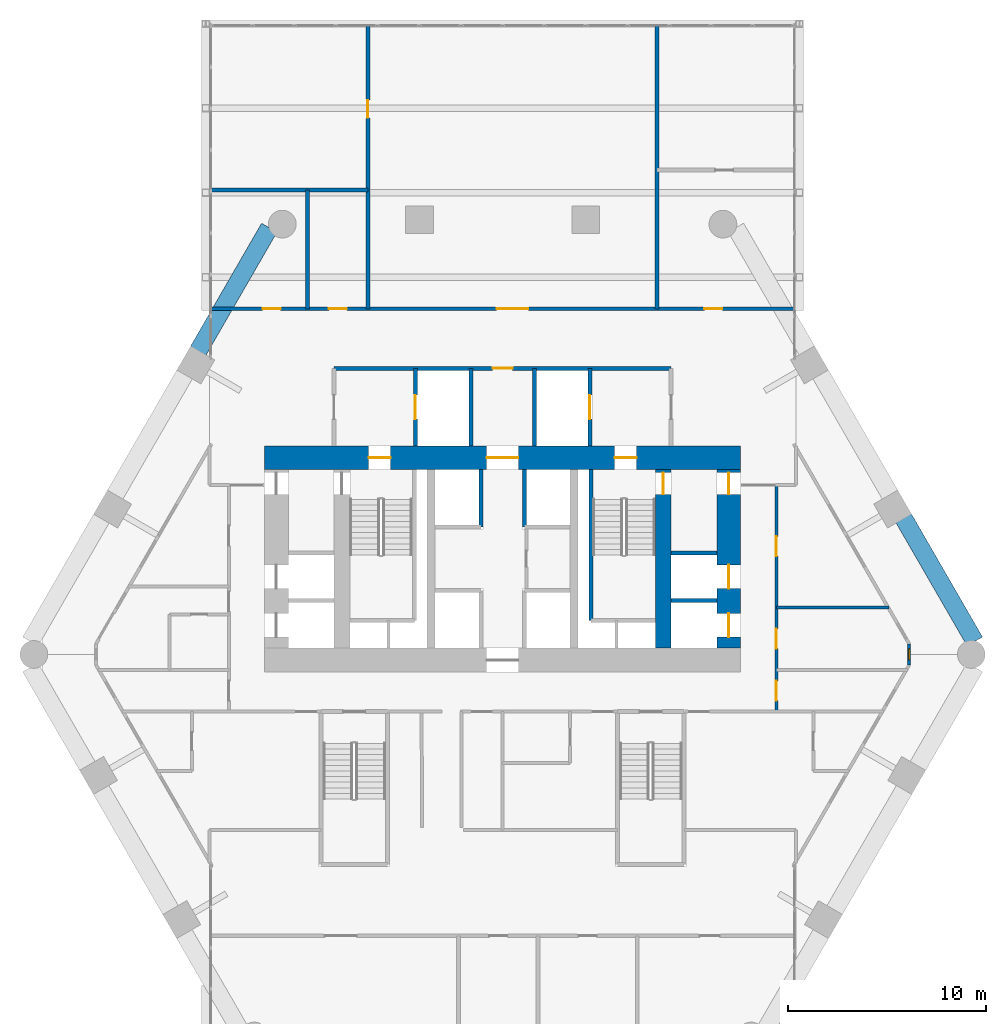
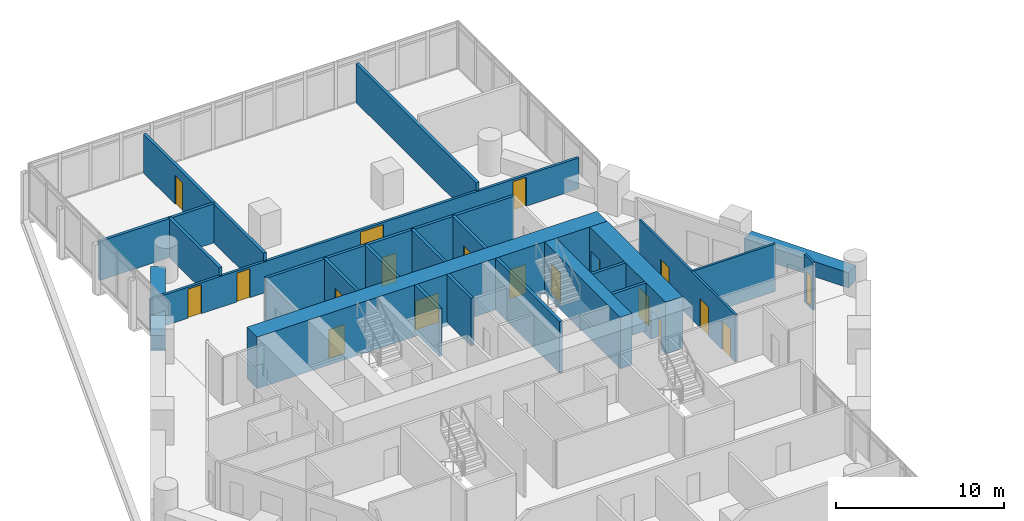
# One storey, part 33 of 38: 23 walls, 18 doors, 1 window, 19 openings.
"""IFC4 building model written with IfcOpenShell, lengths in metres."""

import ifcopenshell
import ifcopenshell.guid

model = None  # the IFC model being written
_history = None  # IfcOwnerHistory: only IFC2X3 demands one
_inside = {}  # id of a spatial element -> (the spatial element, [elements in it])
_under = {}  # id of a project, library or spatial element -> (it, [spatial elements below it])
_declared = {}  # id of a project -> (the project, [libraries it declares])
_typed = {}  # id of a type object -> (the type object, [elements of that type])
_made_of = {}  # id of a material, layer set ... -> (it, [elements and type objects made of it])


def new_model(schema):
    """Start an empty IFC model of exactly this schema.

    Asked for "IFC4X3", IfcOpenShell would pick the latest addendum, in which some entities
    have other attributes; the version numbers below select the first issue.
    IFC2X3 requires an IfcOwnerHistory on every rooted entity: one is made here for all.
    """
    global model, _history
    if schema == "IFC4X3":
        model = ifcopenshell.file(schema_version=(4, 3, 0, 0))
    else:
        model = ifcopenshell.file(schema=schema)
    _inside.clear()
    _under.clear()
    _declared.clear()
    _typed.clear()
    _made_of.clear()
    _history = None
    if model.schema == "IFC2X3":
        org = make("IfcOrganization", Name="unknown")
        user = make(
            "IfcPersonAndOrganization",
            ThePerson=make("IfcPerson", FamilyName="unknown"),
            TheOrganization=org,
        )
        app = make(
            "IfcApplication",
            ApplicationDeveloper=org,
            Version="unknown",
            ApplicationFullName="unknown",
            ApplicationIdentifier="unknown",
        )
        _history = make(
            "IfcOwnerHistory",
            OwningUser=user,
            OwningApplication=app,
            ChangeAction="ADDED",
            CreationDate=0,
        )
    return model


def make(cls, **values):
    """One entity of the class cls with the attributes given. An attribute that is None is left unset."""
    return model.create_entity(
        cls, **{name: value for name, value in values.items() if value is not None}
    )


def rooted(cls, **values):
    """An entity with a GlobalId (a new one), such as an element, a storey or a relation."""
    return make(cls, GlobalId=ifcopenshell.guid.new(), OwnerHistory=_history, **values)


def si_unit(unit_type, name, prefix=None):
    """IfcSIUnit, for example si_unit("LENGTHUNIT", "METRE", prefix="MILLI")."""
    return make("IfcSIUnit", UnitType=unit_type, Prefix=prefix, Name=name)


def assignment(units):
    """IfcUnitAssignment: the units of a project."""
    return None if units is None else make("IfcUnitAssignment", Units=units)


def point(xyz):
    """IfcCartesianPoint."""
    return None if xyz is None else make("IfcCartesianPoint", Coordinates=xyz)


def direction(xyz):
    """IfcDirection."""
    return None if xyz is None else make("IfcDirection", DirectionRatios=xyz)


def frame(location, z_axis=None, x_axis=None):
    """IfcAxis2Placement3D, a coordinate frame: its origin and axes. An axis left out is left unset."""
    return make(
        "IfcAxis2Placement3D",
        Location=point(location),
        Axis=direction(z_axis),
        RefDirection=direction(x_axis),
    )


def frame_2d(location, x_axis=None):
    """IfcAxis2Placement2D, a coordinate frame in the plane: its origin and x axis."""
    return make(
        "IfcAxis2Placement2D", Location=point(location), RefDirection=direction(x_axis)
    )


def origin():
    """The frame at (0, 0, 0) with its axes left unset."""
    return frame((0.0, 0.0, 0.0))


def place(relative_to, where):
    """IfcLocalPlacement: puts the frame where relative to a parent placement (None: the world)."""
    return make(
        "IfcLocalPlacement", PlacementRelTo=relative_to, RelativePlacement=where
    )


def context(
    kind, dimensions, precision=None, world=None, true_north=None, identifier=None
):
    """IfcGeometricRepresentationContext, for example the 3D "Model" context."""
    return make(
        "IfcGeometricRepresentationContext",
        ContextIdentifier=identifier,
        ContextType=kind,
        CoordinateSpaceDimension=dimensions,
        Precision=precision,
        WorldCoordinateSystem=world,
        TrueNorth=true_north,
    )


def subcontext(parent, identifier, kind, view, scale=None):
    """IfcGeometricRepresentationSubContext, for example "Body" below "Model"."""
    return make(
        "IfcGeometricRepresentationSubContext",
        ContextIdentifier=identifier,
        ContextType=kind,
        ParentContext=parent,
        TargetScale=scale,
        TargetView=view,
    )


def project(units=None, contexts=None):
    """IfcProject with its units and contexts."""
    return rooted(
        "IfcProject",
        Name="project",
        RepresentationContexts=contexts,
        UnitsInContext=assignment(units),
    )


def spatial(cls, under=None, at=None, **own):
    """A site, building, storey or space (cls), placed at a placement, below another one or the project."""
    s = rooted(cls, ObjectPlacement=at, **own)
    if under is not None:
        _under.setdefault(under.id(), (under, []))[1].append(s)
    return s


def profile(cls, at=None, kind="AREA", **sizes):
    """A parametric profile (cls). Its sizes go by their IFC names, for example OverallWidth=200.0."""
    return make(cls, ProfileType=kind, Position=at, **sizes)


def rectangle(**sizes):
    """IfcRectangleProfileDef."""
    return profile("IfcRectangleProfileDef", **sizes)


def extrude(swept, where, along, depth):
    """IfcExtrudedAreaSolid: the profile swept, set in the frame where, extruded along a direction by depth."""
    return make(
        "IfcExtrudedAreaSolid",
        SweptArea=swept,
        Position=where,
        ExtrudedDirection=direction(along),
        Depth=depth,
    )


def shape(context_of_items, identifier, shape_type, items):
    """IfcShapeRepresentation: the items that make up one representation, for example the "Body"."""
    return make(
        "IfcShapeRepresentation",
        ContextOfItems=context_of_items,
        RepresentationIdentifier=identifier,
        RepresentationType=shape_type,
        Items=items,
    )


def material(Name=None, Category=None):
    """IfcMaterial."""
    return make("IfcMaterial", Name=Name, Category=Category)


def layer(
    of_material, thickness, ventilated=None, Name=None, Category=None, Priority=None
):
    """IfcMaterialLayer: one layer of a wall or slab, of a material (None: an air gap)."""
    return make(
        "IfcMaterialLayer",
        Material=of_material,
        LayerThickness=thickness,
        IsVentilated=ventilated,
        Name=Name,
        Category=Category,
        Priority=Priority,
    )


def layer_set(layers, Name=None):
    """IfcMaterialLayerSet."""
    return make("IfcMaterialLayerSet", MaterialLayers=layers, LayerSetName=Name)


def made_of(thing, what):
    """Note that an element or type object is made of a material, layer set ...; save() writes the relation."""
    if what is not None:
        _made_of.setdefault(what.id(), (what, []))[1].append(thing)
    return thing


def type_object(cls, material=None, **own):
    """A type object (cls), such as IfcWallType, which elements share."""
    return made_of(rooted(cls, **own), material)


def element(
    cls,
    number,
    at=None,
    inside=None,
    cuts=None,
    type_object=None,
    material=None,
    context=None,
    identifier="Body",
    shape_type=None,
    held_by="IfcProductDefinitionShape",
    body=None,
    shapes=None,
    **own,
):
    """One element of the class cls, such as IfcWall. Its Tag is "e" and its number.

    at: its placement. inside: the storey or other place that contains it. cuts: it is an
    opening in that element (IfcRelVoidsElement). A single representation is given by context,
    identifier, shape_type and body (its items); several are given by shapes. held_by: the class
    of the entity that holds the representations. save() writes the other relations.
    """
    e = rooted(cls, Tag="e%d" % number, ObjectPlacement=at, **own)
    if body is not None:
        shapes = [shape(context, identifier, shape_type, body)]
    if shapes is not None:
        e.Representation = make(held_by, Representations=shapes)
    if inside is not None:
        _inside.setdefault(inside.id(), (inside, []))[1].append(e)
    if cuts is not None:
        rooted(
            "IfcRelVoidsElement", RelatingBuildingElement=cuts, RelatedOpeningElement=e
        )
    if type_object is not None:
        _typed.setdefault(type_object.id(), (type_object, []))[1].append(e)
    return made_of(e, material)


def fill(opening, filler):
    """IfcRelFillsElement: the door or window that sits in an opening."""
    return rooted(
        "IfcRelFillsElement",
        RelatingOpeningElement=opening,
        RelatedBuildingElement=filler,
    )


def aggregate(whole, parts):
    """IfcRelAggregates: a whole, such as a stair, and the parts it consists of."""
    return rooted("IfcRelAggregates", RelatingObject=whole, RelatedObjects=parts)


def save(model, path):
    """Write the relations noted so far, then the file.

    IfcRelAggregates (storeys below a building ...), IfcRelContainedInSpatialStructure (elements
    in a storey), IfcRelDefinesByType, IfcRelAssociatesMaterial and IfcRelDeclares: one each for
    every whole, place, type object, material and project.
    """
    for whole, parts in _under.values():
        aggregate(whole, parts)
    for where, things in _inside.values():
        rooted(
            "IfcRelContainedInSpatialStructure",
            RelatedElements=things,
            RelatingStructure=where,
        )
    for kind, things in _typed.values():
        rooted("IfcRelDefinesByType", RelatedObjects=things, RelatingType=kind)
    for what, things in _made_of.values():
        rooted("IfcRelAssociatesMaterial", RelatedObjects=things, RelatingMaterial=what)
    for by, libraries in _declared.values():
        rooted("IfcRelDeclares", RelatingContext=by, RelatedDefinitions=libraries)
    model.write(path)


model = new_model("IFC4")

# Units and contexts
model_context = context("Model", 3, precision=1e-05, world=origin(), true_north=direction((0.0, 1.0)))
body_context = subcontext(model_context, "Body", "Model", "MODEL_VIEW")
ifc_project = project(units=[si_unit("LENGTHUNIT", "METRE"), si_unit("AREAUNIT", "SQUARE_METRE"), si_unit("VOLUMEUNIT", "CUBIC_METRE"), si_unit("PLANEANGLEUNIT", "RADIAN"), si_unit("MASSUNIT", "GRAM", prefix="KILO")], contexts=[model_context])

# Site, building, storey
site_placement = place(None, origin())
site = spatial("IfcSite", under=ifc_project, at=site_placement, CompositionType="ELEMENT")
building_placement = place(site_placement, origin())
building = spatial("IfcBuilding", under=site, at=building_placement, Name="Ostrander Bayou Hotel Tower", CompositionType="ELEMENT")
storey_placement = place(building_placement, frame((0.0, 0.0, 65.5)))
storey = spatial("IfcBuildingStorey", under=building, at=storey_placement, Name="L16", CompositionType="ELEMENT", Elevation=65.5)

# Wall, openings, doors
ifc_material_1 = material(Name="Concrete f'c 70 MPa", Category="concrete")
ifc_layer_1 = layer(ifc_material_1, 1.199951171875)
ifc_layer_set_1 = layer_set([ifc_layer_1], Name="CW1 core wall 1200 mm f'c 70 MPa")
wall_type_1 = type_object("IfcWallType", Name="CW1 core wall 1200 mm f'c 70 MPa", PredefinedType="SHEAR", material=ifc_layer_set_1)
wall_1_placement = place(storey_placement, frame((-12.0, 9.10009765625, -0.300048828125), z_axis=(0.0, 0.0, 1.0), x_axis=(1.0, 0.0, 0.0)))
wall_1 = element("IfcWall", 1, at=wall_1_placement, inside=storey, type_object=wall_type_1, Name="CW1 L16 N", PredefinedType="SHEAR", context=body_context, shape_type="SweptSolid", body=[
    extrude(rectangle(XDim=24.0, YDim=1.199951171875, at=frame_2d((12.0, 0.0))), origin(), (0.0, 0.0, 1.0), 3.75),
])
opening_1_placement = place(wall_1_placement, frame((11.199951171875, 0.0, 0.0)))
opening_1 = element("IfcOpeningElement", 2, at=opening_1_placement, cuts=wall_1, Name="Opening T16-002", PredefinedType="OPENING", context=body_context, shape_type="SweptSolid", body=[
    extrude(rectangle(XDim=1.60009765625, YDim=2.10009765625, at=frame_2d((0.800048828125, 1.050048828125))), frame((0.0, 0.60009765625, 0.0), z_axis=(0.0, -1.0, 0.0), x_axis=(1.0, 0.0, 0.0)), (0.0, 0.0, 1.0), 1.199951171875),
])
opening_2_placement = place(wall_1_placement, frame((5.25, 0.0, 0.0)))
opening_2 = element("IfcOpeningElement", 3, at=opening_2_placement, cuts=wall_1, Name="Opening T16-003", PredefinedType="OPENING", context=body_context, shape_type="SweptSolid", body=[
    extrude(rectangle(XDim=1.10009765625, YDim=2.10009765625, at=frame_2d((0.550048828125, 1.050048828125))), frame((0.0, 0.60009765625, 0.0), z_axis=(0.0, -1.0, 0.0), x_axis=(1.0, 0.0, 0.0)), (0.0, 0.0, 1.0), 1.199951171875),
])
opening_3_placement = place(wall_1_placement, frame((17.64990234375, 0.0, 0.0)))
opening_3 = element("IfcOpeningElement", 4, at=opening_3_placement, cuts=wall_1, Name="Opening T16-005", PredefinedType="OPENING", context=body_context, shape_type="SweptSolid", body=[
    extrude(rectangle(XDim=1.10009765625, YDim=2.10009765625, at=frame_2d((0.550048828125, 1.050048828125))), frame((0.0, 0.60009765625, 0.0), z_axis=(0.0, -1.0, 0.0), x_axis=(1.0, 0.0, 0.0)), (0.0, 0.0, 1.0), 1.199951171875),
])
ifc_material_2 = material(Name="Timber door leaf", Category="wood")
door_type_1 = type_object("IfcDoorType", Name="D13 double door 1600 x 2100 mm, 1 hour", OperationType="SINGLE_SWING_LEFT", PredefinedType="DOOR", material=ifc_material_2)
door_1_placement = place(opening_1_placement, origin())
door_1 = element("IfcDoor", 5, at=door_1_placement, inside=storey, type_object=door_type_1, Name="dr:L16:002", OperationType="DOUBLE_DOOR_SINGLE_SWING", OverallHeight=2.10009765625, OverallWidth=1.60009765625, PredefinedType="DOOR", context=body_context, shape_type="SweptSolid", body=[
    extrude(rectangle(XDim=1.60009765625, YDim=2.10009765625, at=frame_2d((0.800048828125, 1.050048828125))), frame((0.0, 0.02490234375, 0.0), z_axis=(0.0, -1.0, 0.0), x_axis=(1.0, 0.0, 0.0)), (0.0, 0.0, 1.0), 0.050048828125),
])
fill(opening_1, door_1)
ifc_material_3 = material(Name="Timber door leaf", Category="wood")
door_type_2 = type_object("IfcDoorType", Name="D5 stair door 1100 x 2100 mm, 90 minute", OperationType="SINGLE_SWING_LEFT", PredefinedType="DOOR", material=ifc_material_3)
door_2_placement = place(opening_2_placement, origin())
door_2 = element("IfcDoor", 6, at=door_2_placement, inside=storey, type_object=door_type_2, Name="dr:L16:003", OperationType="SINGLE_SWING_LEFT", OverallHeight=2.10009765625, OverallWidth=1.10009765625, PredefinedType="DOOR", context=body_context, shape_type="SweptSolid", body=[
    extrude(rectangle(XDim=1.10009765625, YDim=2.10009765625, at=frame_2d((0.550048828125, 1.050048828125))), frame((0.0, 0.02490234375, 0.0), z_axis=(0.0, -1.0, 0.0), x_axis=(1.0, 0.0, 0.0)), (0.0, 0.0, 1.0), 0.050048828125),
])
fill(opening_2, door_2)
door_3_placement = place(opening_3_placement, origin())
door_3 = element("IfcDoor", 7, at=door_3_placement, inside=storey, type_object=door_type_2, Name="dr:L16:005", OperationType="SINGLE_SWING_RIGHT", OverallHeight=2.10009765625, OverallWidth=1.10009765625, PredefinedType="DOOR", context=body_context, shape_type="SweptSolid", body=[
    extrude(rectangle(XDim=1.10009765625, YDim=2.10009765625, at=frame_2d((0.550048828125, 1.050048828125))), frame((0.0, 0.02490234375, 0.0), z_axis=(0.0, -1.0, 0.0), x_axis=(1.0, 0.0, 0.0)), (0.0, 0.0, 1.0), 0.050048828125),
])
fill(opening_3, door_3)

wall_2_placement = place(storey_placement, frame((11.39990234375, -0.5, -0.300048828125), z_axis=(0.0, 0.0, 1.0), x_axis=(0.0, 1.0, 0.0)))
wall_2 = element("IfcWall", 8, at=wall_2_placement, inside=storey, type_object=wall_type_1, Name="CW1 L16 RE", PredefinedType="SHEAR", context=body_context, shape_type="SweptSolid", body=[
    extrude(rectangle(XDim=9.0, YDim=1.199951171875, at=frame_2d((4.5, 0.0))), origin(), (0.0, 0.0, 1.0), 3.75),
])
opening_4_placement = place(wall_2_placement, frame((7.75, 0.0, 0.0)))
opening_4 = element("IfcOpeningElement", 9, at=opening_4_placement, cuts=wall_2, Name="Opening T16-018", PredefinedType="OPENING", context=body_context, shape_type="SweptSolid", body=[
    extrude(rectangle(XDim=1.10009765625, YDim=2.10009765625, at=frame_2d((0.550048828125, 1.050048828125))), frame((0.0, 0.60009765625, 0.0), z_axis=(0.0, -1.0, 0.0), x_axis=(1.0, 0.0, 0.0)), (0.0, 0.0, 1.0), 1.199951171875),
])
opening_5_placement = place(wall_2_placement, frame((0.550048828125, 0.0, 0.0)))
opening_5 = element("IfcOpeningElement", 10, at=opening_5_placement, cuts=wall_2, Name="Opening T16-019", PredefinedType="OPENING", context=body_context, shape_type="SweptSolid", body=[
    extrude(rectangle(XDim=1.199951171875, YDim=2.10009765625, at=frame_2d((0.60009765625, 1.050048828125))), frame((0.0, 0.60009765625, 0.0), z_axis=(0.0, -1.0, 0.0), x_axis=(1.0, 0.0, 0.0)), (0.0, 0.0, 1.0), 1.199951171875),
])
opening_6_placement = place(wall_2_placement, frame((3.0, 0.0, 0.0)))
opening_6 = element("IfcOpeningElement", 11, at=opening_6_placement, cuts=wall_2, Name="Opening T16-020", PredefinedType="OPENING", context=body_context, shape_type="SweptSolid", body=[
    extrude(rectangle(XDim=1.199951171875, YDim=2.10009765625, at=frame_2d((0.60009765625, 1.050048828125))), frame((0.0, 0.60009765625, 0.0), z_axis=(0.0, -1.0, 0.0), x_axis=(1.0, 0.0, 0.0)), (0.0, 0.0, 1.0), 1.199951171875),
])
door_4_placement = place(opening_4_placement, origin())
door_4 = element("IfcDoor", 12, at=door_4_placement, inside=storey, type_object=door_type_2, Name="dr:L16:018", OperationType="SINGLE_SWING_RIGHT", OverallHeight=2.10009765625, OverallWidth=1.10009765625, PredefinedType="DOOR", context=body_context, shape_type="SweptSolid", body=[
    extrude(rectangle(XDim=1.10009765625, YDim=2.10009765625, at=frame_2d((0.550048828125, 1.050048828125))), frame((0.0, 0.02490234375, 0.0), z_axis=(0.0, -1.0, 0.0), x_axis=(1.0, 0.0, 0.0)), (0.0, 0.0, 1.0), 0.050048828125),
])
fill(opening_4, door_4)
ifc_material_4 = material(Name="Stainless steel sliding door", Category="steel")
door_type_3 = type_object("IfcDoorType", Name="LD1 lift landing door 1200 x 2100 mm", OperationType="SINGLE_SWING_LEFT", PredefinedType="DOOR", material=ifc_material_4)
door_5_placement = place(opening_5_placement, origin())
door_5 = element("IfcDoor", 13, at=door_5_placement, inside=storey, type_object=door_type_3, Name="dr:L16:019", OperationType="SLIDING_TO_LEFT", OverallHeight=2.10009765625, OverallWidth=1.199951171875, PredefinedType="DOOR", context=body_context, shape_type="SweptSolid", body=[
    extrude(rectangle(XDim=1.199951171875, YDim=2.10009765625, at=frame_2d((0.60009765625, 1.050048828125))), frame((0.0, 0.02490234375, 0.0), z_axis=(0.0, -1.0, 0.0), x_axis=(1.0, 0.0, 0.0)), (0.0, 0.0, 1.0), 0.050048828125),
])
fill(opening_5, door_5)
door_6_placement = place(opening_6_placement, origin())
door_6 = element("IfcDoor", 14, at=door_6_placement, inside=storey, type_object=door_type_3, Name="dr:L16:020", OperationType="SLIDING_TO_LEFT", OverallHeight=2.10009765625, OverallWidth=1.199951171875, PredefinedType="DOOR", context=body_context, shape_type="SweptSolid", body=[
    extrude(rectangle(XDim=1.199951171875, YDim=2.10009765625, at=frame_2d((0.60009765625, 1.050048828125))), frame((0.0, 0.02490234375, 0.0), z_axis=(0.0, -1.0, 0.0), x_axis=(1.0, 0.0, 0.0)), (0.0, 0.0, 1.0), 0.050048828125),
])
fill(opening_6, door_6)

# Wall, opening, door
ifc_material_5 = material(Name="Concrete f'c 70 MPa", Category="concrete")
ifc_layer_2 = layer(ifc_material_5, 0.800048828125)
ifc_layer_set_2 = layer_set([ifc_layer_2], Name="CW2 core spine wall 800 mm f'c 70 MPa")
wall_type_2 = type_object("IfcWallType", Name="CW2 core spine wall 800 mm f'c 70 MPa", PredefinedType="SHEAR", material=ifc_layer_set_2)
wall_3_placement = place(storey_placement, frame((8.10009765625, -0.5, -0.300048828125), z_axis=(0.0, 0.0, 1.0), x_axis=(0.0, 1.0, 0.0)))
wall_3 = element("IfcWall", 15, at=wall_3_placement, inside=storey, type_object=wall_type_2, Name="CW2 L16 E", PredefinedType="SHEAR", context=body_context, shape_type="SweptSolid", body=[
    extrude(rectangle(XDim=9.0, YDim=0.800048828125, at=frame_2d((4.5, 0.0))), origin(), (0.0, 0.0, 1.0), 3.75),
])
opening_7_placement = place(wall_3_placement, frame((7.75, 0.0, 0.0)))
opening_7 = element("IfcOpeningElement", 16, at=opening_7_placement, cuts=wall_3, Name="Opening T16-006", PredefinedType="OPENING", context=body_context, shape_type="SweptSolid", body=[
    extrude(rectangle(XDim=1.10009765625, YDim=2.10009765625, at=frame_2d((0.550048828125, 1.050048828125))), frame((0.0, 0.39990234375, 0.0), z_axis=(0.0, -1.0, 0.0), x_axis=(1.0, 0.0, 0.0)), (0.0, 0.0, 1.0), 0.800048828125),
])
door_7_placement = place(opening_7_placement, origin())
door_7 = element("IfcDoor", 17, at=door_7_placement, inside=storey, type_object=door_type_2, Name="dr:L16:006", OperationType="SINGLE_SWING_LEFT", OverallHeight=2.10009765625, OverallWidth=1.10009765625, PredefinedType="DOOR", context=body_context, shape_type="SweptSolid", body=[
    extrude(rectangle(XDim=1.10009765625, YDim=2.10009765625, at=frame_2d((0.550048828125, 1.050048828125))), frame((0.0, 0.02490234375, 0.0), z_axis=(0.0, -1.0, 0.0), x_axis=(1.0, 0.0, 0.0)), (0.0, 0.0, 1.0), 0.050048828125),
])
fill(opening_7, door_7)

# Wall, opening, window
ifc_material_6 = material(Name="Aluminium framed insulated wall", Category="aluminium")
ifc_layer_3 = layer(ifc_material_6, 0.14990234375)
ifc_layer_set_3 = layer_set([ifc_layer_3], Name="GW1 glass-line wall 150 mm")
wall_type_3 = type_object("IfcWallType", Name="GW1 glass-line wall 150 mm", PredefinedType="SOLIDWALL", material=ifc_layer_set_3)
wall_4_placement = place(storey_placement, frame((20.49560546875, -1.350830078125, 0.0), z_axis=(0.0, 0.0, 1.0), x_axis=(0.0, 1.0, 0.0)))
wall_4 = element("IfcWall", 18, at=wall_4_placement, inside=storey, type_object=wall_type_3, Name="GW1 L16 corner 5", PredefinedType="SOLIDWALL", context=body_context, shape_type="SweptSolid", body=[
    extrude(rectangle(XDim=1.06494140625, YDim=0.14990234375, at=frame_2d((0.532470703125, 0.0))), origin(), (0.0, 0.0, 1.0), 3.449951171875),
])
opening_8_placement = place(wall_4_placement, frame((0.257568359375, 0.0, 0.14990234375)))
opening_8 = element("IfcOpeningElement", 19, at=opening_8_placement, cuts=wall_4, Name="Opening W19", PredefinedType="OPENING", context=body_context, shape_type="SweptSolid", body=[
    extrude(rectangle(XDim=0.550048828125, YDim=2.199951171875, at=frame_2d((0.27490234375, 1.10009765625))), frame((0.0, 0.074951171875, 0.0), z_axis=(0.0, -1.0, 0.0), x_axis=(1.0, 0.0, 0.0)), (0.0, 0.0, 1.0), 0.14990234375),
])
ifc_material_7 = material(Name="Aluminium and clear glass", Category="aluminium")
window_type = type_object("IfcWindowType", Name="W19 corner window 550 mm", PartitioningType="SINGLE_PANEL", PredefinedType="WINDOW", material=ifc_material_7)
window_placement = place(opening_8_placement, origin())
window = element("IfcWindow", 20, at=window_placement, inside=storey, type_object=window_type, Name="W19 L16 corner 5", OverallHeight=2.199951171875, OverallWidth=0.550048828125, PartitioningType="SINGLE_PANEL", PredefinedType="WINDOW", context=body_context, shape_type="SweptSolid", body=[
    extrude(rectangle(XDim=0.550048828125, YDim=2.199951171875, at=frame_2d((0.27490234375, 1.10009765625))), frame((0.0, 0.030029296875, 0.0), z_axis=(0.0, -1.0, 0.0), x_axis=(1.0, 0.0, 0.0)), (0.0, 0.0, 1.0), 0.06005859375),
])
fill(opening_8, window)

# Walls
ifc_material_8 = material(Name="Concrete f'c 40 MPa", Category="concrete")
ifc_layer_4 = layer(ifc_material_8, 0.89990234375)
ifc_layer_set_4 = layer_set([ifc_layer_4], Name="PA1 stone-faced parapet 900 mm")
wall_type_4 = type_object("IfcWallType", Name="PA1 stone-faced parapet 900 mm", PredefinedType="PARAPET", material=ifc_layer_set_4)
for number, where, z_axis, x_axis, name in (
    (21, (-11.76025390625, 20.694091796875, 0.0), (0.0, 0.0, 1.0), (-0.500014005679, -0.866017317451, 0.0), "PA1 L16 NW-1"),
    (22, (23.8017578125, -0.162353515625, 0.0), (0.0, 0.0, 1.0), (-0.500014005679, 0.866017317451, 0.0), "PA1 L16 NE-1"),
):
    element("IfcWall", number, at=place(storey_placement, frame(where, z_axis=z_axis, x_axis=x_axis)), inside=storey, type_object=wall_type_4, Name=name, PredefinedType="PARAPET", context=body_context, shape_type="SweptSolid", body=[
        extrude(rectangle(XDim=7.176025390625, YDim=0.89990234375, at=frame_2d((3.587890625, 0.0))), origin(), (0.0, 0.0, 1.0), 1.10009765625),
    ])
ifc_material_9 = material(Name="Gypsum board partition", Category="finish")
ifc_layer_5 = layer(ifc_material_9, 0.199951171875)
ifc_layer_set_5 = layer_set([ifc_layer_5], Name="PT3 demising wall 200 mm acoustic double stud, 1 hour")
wall_type_5 = type_object("IfcWallType", Name="PT3 demising wall 200 mm acoustic double stud, 1 hour", PredefinedType="PARTITIONING", material=ifc_layer_set_5)
wall_5_placement = place(storey_placement, frame((-14.693115234375, 22.60009765625, 0.0), z_axis=(0.0, 0.0, 1.0), x_axis=(1.0, 0.0, 0.0)))
element("IfcWall", 23, at=wall_5_placement, inside=storey, type_object=wall_type_5, Name="sw:L16:503", PredefinedType="PARTITIONING", context=body_context, shape_type="SweptSolid", body=[
    extrude(rectangle(XDim=7.906005859375, YDim=0.199951171875, at=frame_2d((3.953125, 0.0))), origin(), (0.0, 0.0, 1.0), 2.828125),
])
wall_6_placement = place(storey_placement, frame((-9.826904296875, 16.60009765625, 0.0), z_axis=(0.0, 0.0, 1.0), x_axis=(0.0, 1.0, 0.0)))
element("IfcWall", 24, at=wall_6_placement, inside=storey, type_object=wall_type_5, Name="sw:L16:505", PredefinedType="PARTITIONING", context=body_context, shape_type="SweptSolid", body=[
    extrude(rectangle(XDim=6.0, YDim=0.199951171875, at=frame_2d((3.0, 0.0))), origin(), (0.0, 0.0, 1.0), 2.828125),
])

# Wall, opening, door
wall_7_placement = place(storey_placement, frame((-6.787109375, 16.60009765625, 0.0), z_axis=(0.0, 0.0, 1.0), x_axis=(0.0, 1.0, 0.0)))
wall_7 = element("IfcWall", 25, at=wall_7_placement, inside=storey, type_object=wall_type_5, Name="sw:L16:506", PredefinedType="PARTITIONING", context=body_context, shape_type="SweptSolid", body=[
    extrude(rectangle(XDim=14.26708984375, YDim=0.199951171875, at=frame_2d((7.133544921875, 0.0))), origin(), (0.0, 0.0, 1.0), 2.828125),
])
opening_9_placement = place(wall_7_placement, frame((9.628173828125, 0.0, 0.0)))
opening_9 = element("IfcOpeningElement", 26, at=opening_9_placement, cuts=wall_7, Name="Opening T16-1207", PredefinedType="OPENING", context=body_context, shape_type="SweptSolid", body=[
    extrude(rectangle(XDim=0.89990234375, YDim=2.10009765625, at=frame_2d((0.449951171875, 1.050048828125))), frame((0.0, 0.10009765625, 0.0), z_axis=(0.0, -1.0, 0.0), x_axis=(1.0, 0.0, 0.0)), (0.0, 0.0, 1.0), 0.199951171875),
])
ifc_material_10 = material(Name="Timber door leaf", Category="wood")
door_type_4 = type_object("IfcDoorType", Name="D8 room door 900 x 2100 mm", OperationType="SINGLE_SWING_LEFT", PredefinedType="DOOR", material=ifc_material_10)
door_8_placement = place(opening_9_placement, origin())
door_8 = element("IfcDoor", 27, at=door_8_placement, inside=storey, type_object=door_type_4, Name="dr:L16:1207", OperationType="SINGLE_SWING_LEFT", OverallHeight=2.10009765625, OverallWidth=0.89990234375, PredefinedType="DOOR", context=body_context, shape_type="SweptSolid", body=[
    extrude(rectangle(XDim=0.89990234375, YDim=2.10009765625, at=frame_2d((0.449951171875, 1.050048828125))), frame((0.0, 0.02490234375, 0.0), z_axis=(0.0, -1.0, 0.0), x_axis=(1.0, 0.0, 0.0)), (0.0, 0.0, 1.0), 0.050048828125),
])
fill(opening_9, door_8)

# Wall
wall_8_placement = place(storey_placement, frame((7.787109375, 16.60009765625, 0.0), z_axis=(0.0, 0.0, 1.0), x_axis=(0.0, 1.0, 0.0)))
element("IfcWall", 28, at=wall_8_placement, inside=storey, type_object=wall_type_5, Name="sw:L16:510", PredefinedType="PARTITIONING", context=body_context, shape_type="SweptSolid", body=[
    extrude(rectangle(XDim=14.26708984375, YDim=0.199951171875, at=frame_2d((7.133544921875, 0.0))), origin(), (0.0, 0.0, 1.0), 2.828125),
])

# Wall, openings, doors
ifc_material_11 = material(Name="Gypsum board partition", Category="finish")
ifc_layer_6 = layer(ifc_material_11, 0.175048828125)
ifc_layer_set_6 = layer_set([ifc_layer_6], Name="PT4 corridor wall 175 mm, 1 hour")
wall_type_6 = type_object("IfcWallType", Name="PT4 corridor wall 175 mm, 1 hour", PredefinedType="PARTITIONING", material=ifc_layer_set_6)
wall_9_placement = place(storey_placement, frame((-14.693115234375, 16.60009765625, 0.0), z_axis=(0.0, 0.0, 1.0), x_axis=(1.0, 0.0, 0.0)))
wall_9 = element("IfcWall", 29, at=wall_9_placement, inside=storey, type_object=wall_type_6, Name="sw:L16:501", PredefinedType="PARTITIONING", context=body_context, shape_type="SweptSolid", body=[
    extrude(rectangle(XDim=29.38623046875, YDim=0.175048828125, at=frame_2d((14.693115234375, 0.0))), origin(), (0.0, 0.0, 1.0), 2.25),
])
opening_10_placement = place(wall_9_placement, frame((24.86962890625, 0.0, 0.0)))
opening_10 = element("IfcOpeningElement", 30, at=opening_10_placement, cuts=wall_9, Name="Opening T16-1205", PredefinedType="OPENING", context=body_context, shape_type="SweptSolid", body=[
    extrude(rectangle(XDim=0.89990234375, YDim=2.10009765625, at=frame_2d((0.449951171875, 1.050048828125))), frame((0.0, 0.08740234375, 0.0), z_axis=(0.0, -1.0, 0.0), x_axis=(1.0, 0.0, 0.0)), (0.0, 0.0, 1.0), 0.175048828125),
])
opening_11_placement = place(wall_9_placement, frame((2.5966796875, 0.0, 0.0)))
opening_11 = element("IfcOpeningElement", 31, at=opening_11_placement, cuts=wall_9, Name="Opening T16-1208", PredefinedType="OPENING", context=body_context, shape_type="SweptSolid", body=[
    extrude(rectangle(XDim=0.89990234375, YDim=2.10009765625, at=frame_2d((0.449951171875, 1.050048828125))), frame((0.0, 0.08740234375, 0.0), z_axis=(0.0, -1.0, 0.0), x_axis=(1.0, 0.0, 0.0)), (0.0, 0.0, 1.0), 0.175048828125),
])
opening_12_placement = place(wall_9_placement, frame((5.93603515625, 0.0, 0.0)))
opening_12 = element("IfcOpeningElement", 32, at=opening_12_placement, cuts=wall_9, Name="Opening T16-1209", PredefinedType="OPENING", context=body_context, shape_type="SweptSolid", body=[
    extrude(rectangle(XDim=0.89990234375, YDim=2.10009765625, at=frame_2d((0.449951171875, 1.050048828125))), frame((0.0, 0.08740234375, 0.0), z_axis=(0.0, -1.0, 0.0), x_axis=(1.0, 0.0, 0.0)), (0.0, 0.0, 1.0), 0.175048828125),
])
opening_13_placement = place(wall_9_placement, frame((14.393310546875, 0.0, 0.0)))
opening_13 = element("IfcOpeningElement", 33, at=opening_13_placement, cuts=wall_9, Name="Opening T16-1210", PredefinedType="OPENING", context=body_context, shape_type="SweptSolid", body=[
    extrude(rectangle(XDim=1.60009765625, YDim=2.10009765625, at=frame_2d((0.800048828125, 1.050048828125))), frame((0.0, 0.08740234375, 0.0), z_axis=(0.0, -1.0, 0.0), x_axis=(1.0, 0.0, 0.0)), (0.0, 0.0, 1.0), 0.175048828125),
])
door_9_placement = place(opening_13_placement, origin())
door_9 = element("IfcDoor", 34, at=door_9_placement, inside=storey, type_object=door_type_1, Name="dr:L16:1210", OperationType="DOUBLE_DOOR_SINGLE_SWING", OverallHeight=2.10009765625, OverallWidth=1.60009765625, PredefinedType="DOOR", context=body_context, shape_type="SweptSolid", body=[
    extrude(rectangle(XDim=1.60009765625, YDim=2.10009765625, at=frame_2d((0.800048828125, 1.050048828125))), frame((0.0, 0.02490234375, 0.0), z_axis=(0.0, -1.0, 0.0), x_axis=(1.0, 0.0, 0.0)), (0.0, 0.0, 1.0), 0.050048828125),
])
fill(opening_13, door_9)
door_10_placement = place(opening_10_placement, origin())
door_10 = element("IfcDoor", 35, at=door_10_placement, inside=storey, type_object=door_type_4, Name="dr:L16:1205", OperationType="SINGLE_SWING_LEFT", OverallHeight=2.10009765625, OverallWidth=0.89990234375, PredefinedType="DOOR", context=body_context, shape_type="SweptSolid", body=[
    extrude(rectangle(XDim=0.89990234375, YDim=2.10009765625, at=frame_2d((0.449951171875, 1.050048828125))), frame((0.0, 0.02490234375, 0.0), z_axis=(0.0, -1.0, 0.0), x_axis=(1.0, 0.0, 0.0)), (0.0, 0.0, 1.0), 0.050048828125),
])
fill(opening_10, door_10)
door_11_placement = place(opening_11_placement, origin())
door_11 = element("IfcDoor", 36, at=door_11_placement, inside=storey, type_object=door_type_4, Name="dr:L16:1208", OperationType="SINGLE_SWING_RIGHT", OverallHeight=2.10009765625, OverallWidth=0.89990234375, PredefinedType="DOOR", context=body_context, shape_type="SweptSolid", body=[
    extrude(rectangle(XDim=0.89990234375, YDim=2.10009765625, at=frame_2d((0.449951171875, 1.050048828125))), frame((0.0, 0.02490234375, 0.0), z_axis=(0.0, -1.0, 0.0), x_axis=(1.0, 0.0, 0.0)), (0.0, 0.0, 1.0), 0.050048828125),
])
fill(opening_11, door_11)
door_12_placement = place(opening_12_placement, origin())
door_12 = element("IfcDoor", 37, at=door_12_placement, inside=storey, type_object=door_type_4, Name="dr:L16:1209", OperationType="SINGLE_SWING_LEFT", OverallHeight=2.10009765625, OverallWidth=0.89990234375, PredefinedType="DOOR", context=body_context, shape_type="SweptSolid", body=[
    extrude(rectangle(XDim=0.89990234375, YDim=2.10009765625, at=frame_2d((0.449951171875, 1.050048828125))), frame((0.0, 0.02490234375, 0.0), z_axis=(0.0, -1.0, 0.0), x_axis=(1.0, 0.0, 0.0)), (0.0, 0.0, 1.0), 0.050048828125),
])
fill(opening_12, door_12)

# Wall, opening, door
ifc_material_12 = material(Name="Masonry block", Category="masonry")
ifc_layer_7 = layer(ifc_material_12, 0.199951171875)
ifc_layer_set_7 = layer_set([ifc_layer_7], Name="PT5 stair enclosure wall 200 mm masonry, 2 hour")
wall_type_7 = type_object("IfcWallType", Name="PT5 stair enclosure wall 200 mm masonry, 2 hour", PredefinedType="PARTITIONING", material=ifc_layer_set_7)
wall_10_placement = place(storey_placement, frame((-8.5, 13.60009765625, 0.0), z_axis=(0.0, 0.0, 1.0), x_axis=(1.0, 0.0, 0.0)))
wall_10 = element("IfcWall", 38, at=wall_10_placement, inside=storey, type_object=wall_type_7, Name="cs:L16:023", PredefinedType="PARTITIONING", context=body_context, shape_type="SweptSolid", body=[
    extrude(rectangle(XDim=17.0, YDim=0.199951171875, at=frame_2d((8.5, 0.0))), origin(), (0.0, 0.0, 1.0), 3.449951171875),
])
opening_14_placement = place(wall_10_placement, frame((8.0, 0.0, 0.0)))
opening_14 = element("IfcOpeningElement", 39, at=opening_14_placement, cuts=wall_10, Name="Opening T16-013", PredefinedType="OPENING", context=body_context, shape_type="SweptSolid", body=[
    extrude(rectangle(XDim=1.0, YDim=2.10009765625, at=frame_2d((0.5, 1.050048828125))), frame((0.0, 0.10009765625, 0.0), z_axis=(0.0, -1.0, 0.0), x_axis=(1.0, 0.0, 0.0)), (0.0, 0.0, 1.0), 0.199951171875),
])
ifc_material_13 = material(Name="Timber door leaf", Category="wood")
door_type_5 = type_object("IfcDoorType", Name="D9 service door 1000 x 2100 mm, 30 minute", OperationType="SINGLE_SWING_LEFT", PredefinedType="DOOR", material=ifc_material_13)
door_13_placement = place(opening_14_placement, origin())
door_13 = element("IfcDoor", 40, at=door_13_placement, inside=storey, type_object=door_type_5, Name="dr:L16:013", OperationType="SINGLE_SWING_LEFT", OverallHeight=2.10009765625, OverallWidth=1.0, PredefinedType="DOOR", context=body_context, shape_type="SweptSolid", body=[
    extrude(rectangle(XDim=1.0, YDim=2.10009765625, at=frame_2d((0.5, 1.050048828125))), frame((0.0, 0.02490234375, 0.0), z_axis=(0.0, -1.0, 0.0), x_axis=(1.0, 0.0, 0.0)), (0.0, 0.0, 1.0), 0.050048828125),
])
fill(opening_14, door_13)

wall_11_placement = place(storey_placement, frame((-4.39990234375, 9.699951171875, 0.0), z_axis=(0.0, 0.0, 1.0), x_axis=(0.0, 1.0, 0.0)))
wall_11 = element("IfcWall", 41, at=wall_11_placement, inside=storey, type_object=wall_type_7, Name="cs:L16:026", PredefinedType="PARTITIONING", context=body_context, shape_type="SweptSolid", body=[
    extrude(rectangle(XDim=3.900146484375, YDim=0.199951171875, at=frame_2d((1.9501953125, 0.0))), origin(), (0.0, 0.0, 1.0), 3.449951171875),
])
opening_15_placement = place(wall_11_placement, frame((1.35009765625, 0.0, 0.0)))
opening_15 = element("IfcOpeningElement", 42, at=opening_15_placement, cuts=wall_11, Name="Opening T16-009", PredefinedType="OPENING", context=body_context, shape_type="SweptSolid", body=[
    extrude(rectangle(XDim=1.199951171875, YDim=2.10009765625, at=frame_2d((0.60009765625, 1.050048828125))), frame((0.0, 0.10009765625, 0.0), z_axis=(0.0, -1.0, 0.0), x_axis=(1.0, 0.0, 0.0)), (0.0, 0.0, 1.0), 0.199951171875),
])
door_14_placement = place(opening_15_placement, origin())
door_14 = element("IfcDoor", 43, at=door_14_placement, inside=storey, type_object=door_type_3, Name="dr:L16:009", OperationType="SLIDING_TO_LEFT", OverallHeight=2.10009765625, OverallWidth=1.199951171875, PredefinedType="DOOR", context=body_context, shape_type="SweptSolid", body=[
    extrude(rectangle(XDim=1.199951171875, YDim=2.10009765625, at=frame_2d((0.60009765625, 1.050048828125))), frame((0.0, 0.02490234375, 0.0), z_axis=(0.0, -1.0, 0.0), x_axis=(1.0, 0.0, 0.0)), (0.0, 0.0, 1.0), 0.050048828125),
])
fill(opening_15, door_14)

wall_12_placement = place(storey_placement, frame((4.39990234375, 9.699951171875, 0.0), z_axis=(0.0, 0.0, 1.0), x_axis=(0.0, 1.0, 0.0)))
wall_12 = element("IfcWall", 44, at=wall_12_placement, inside=storey, type_object=wall_type_7, Name="cs:L16:027", PredefinedType="PARTITIONING", context=body_context, shape_type="SweptSolid", body=[
    extrude(rectangle(XDim=3.900146484375, YDim=0.199951171875, at=frame_2d((1.9501953125, 0.0))), origin(), (0.0, 0.0, 1.0), 3.449951171875),
])
opening_16_placement = place(wall_12_placement, frame((1.35009765625, 0.0, 0.0)))
opening_16 = element("IfcOpeningElement", 45, at=opening_16_placement, cuts=wall_12, Name="Opening T16-011", PredefinedType="OPENING", context=body_context, shape_type="SweptSolid", body=[
    extrude(rectangle(XDim=1.199951171875, YDim=2.10009765625, at=frame_2d((0.60009765625, 1.050048828125))), frame((0.0, 0.10009765625, 0.0), z_axis=(0.0, -1.0, 0.0), x_axis=(1.0, 0.0, 0.0)), (0.0, 0.0, 1.0), 0.199951171875),
])
door_15_placement = place(opening_16_placement, origin())
door_15 = element("IfcDoor", 46, at=door_15_placement, inside=storey, type_object=door_type_3, Name="dr:L16:011", OperationType="SLIDING_TO_LEFT", OverallHeight=2.10009765625, OverallWidth=1.199951171875, PredefinedType="DOOR", context=body_context, shape_type="SweptSolid", body=[
    extrude(rectangle(XDim=1.199951171875, YDim=2.10009765625, at=frame_2d((0.60009765625, 1.050048828125))), frame((0.0, 0.02490234375, 0.0), z_axis=(0.0, -1.0, 0.0), x_axis=(1.0, 0.0, 0.0)), (0.0, 0.0, 1.0), 0.050048828125),
])
fill(opening_16, door_15)

# Walls
ifc_material_14 = material(Name="Masonry block", Category="masonry")
ifc_layer_8 = layer(ifc_material_14, 0.199951171875)
ifc_layer_set_8 = layer_set([ifc_layer_8], Name="PT6 lift shaft wall 200 mm masonry, 2 hour")
wall_type_8 = type_object("IfcWallType", Name="PT6 lift shaft wall 200 mm masonry, 2 hour", PredefinedType="PARTITIONING", material=ifc_layer_set_8)
for number, where, z_axis, x_axis, name in (
    (47, (-1.10009765625, 5.60009765625, 0.0), (0.0, 0.0, 1.0), (0.0, 1.0, 0.0), "cs:L16:007"),
    (48, (1.10009765625, 5.60009765625, 0.0), (0.0, 0.0, 1.0), (0.0, 1.0, 0.0), "cs:L16:008"),
):
    element("IfcWall", number, at=place(storey_placement, frame(where, z_axis=z_axis, x_axis=x_axis)), inside=storey, type_object=wall_type_8, Name=name, PredefinedType="PARTITIONING", context=body_context, shape_type="SweptSolid", body=[
        extrude(rectangle(XDim=2.89990234375, YDim=0.199951171875, at=frame_2d((1.449951171875, 0.0))), origin(), (0.0, 0.0, 1.0), 3.449951171875),
    ])
for number, where, z_axis, x_axis, name in (
    (49, (-1.60009765625, 9.699951171875, 0.0), (0.0, 0.0, 1.0), (0.0, 1.0, 0.0), "cs:L16:028"),
    (50, (1.60009765625, 9.699951171875, 0.0), (0.0, 0.0, 1.0), (0.0, 1.0, 0.0), "cs:L16:029"),
):
    element("IfcWall", number, at=place(storey_placement, frame(where, z_axis=z_axis, x_axis=x_axis)), inside=storey, type_object=wall_type_8, Name=name, PredefinedType="PARTITIONING", context=body_context, shape_type="SweptSolid", body=[
        extrude(rectangle(XDim=3.900146484375, YDim=0.199951171875, at=frame_2d((1.9501953125, 0.0))), origin(), (0.0, 0.0, 1.0), 3.449951171875),
    ])
for number, where, z_axis, x_axis, name in (
    (51, (8.5, 1.89990234375, 0.0), (0.0, 0.0, 1.0), (1.0, 0.0, 0.0), "cs:L16:033"),
    (52, (8.5, 4.300048828125, 0.0), (0.0, 0.0, 1.0), (1.0, 0.0, 0.0), "cs:L16:034"),
):
    element("IfcWall", number, at=place(storey_placement, frame(where, z_axis=z_axis, x_axis=x_axis)), inside=storey, type_object=wall_type_8, Name=name, PredefinedType="PARTITIONING", context=body_context, shape_type="SweptSolid", body=[
        extrude(rectangle(XDim=2.300048828125, YDim=0.199951171875, at=frame_2d((1.14990234375, 0.0))), origin(), (0.0, 0.0, 1.0), 3.449951171875),
    ])
ifc_material_15 = material(Name="Gypsum board partition", Category="finish")
ifc_layer_9 = layer(ifc_material_15, 0.14990234375)
ifc_layer_set_9 = layer_set([ifc_layer_9], Name="PT8 service band wall 150 mm, 1 hour")
wall_type_9 = type_object("IfcWallType", Name="PT8 service band wall 150 mm, 1 hour", PredefinedType="PARTITIONING", material=ifc_layer_set_9)
wall_13_placement = place(storey_placement, frame((13.800048828125, 1.550048828125, 0.0), z_axis=(0.0, 0.0, 1.0), x_axis=(1.0, 0.0, 0.0)))
element("IfcWall", 53, at=wall_13_placement, inside=storey, type_object=wall_type_9, Name="gw:L16:014", PredefinedType="PARTITIONING", context=body_context, shape_type="SweptSolid", body=[
    extrude(rectangle(XDim=5.68798828125, YDim=0.14990234375, at=frame_2d((2.843994140625, 0.0))), origin(), (0.0, 0.0, 1.0), 3.449951171875),
])

# Wall, openings, doors
wall_14_placement = place(storey_placement, frame((13.800048828125, -3.699951171875, 0.0), z_axis=(0.0, 0.0, 1.0), x_axis=(0.0, 1.0, 0.0)))
wall_14 = element("IfcWall", 54, at=wall_14_placement, inside=storey, type_object=wall_type_9, Name="gw:L16:021", PredefinedType="PARTITIONING", context=body_context, shape_type="SweptSolid", body=[
    extrude(rectangle(XDim=11.4150390625, YDim=0.14990234375, at=frame_2d((5.70751953125, 0.0))), origin(), (0.0, 0.0, 1.0), 3.449951171875),
])
opening_17_placement = place(wall_14_placement, frame((0.550048828125, 0.0, 0.0)))
opening_17 = element("IfcOpeningElement", 55, at=opening_17_placement, cuts=wall_14, Name="Opening T16-411", PredefinedType="OPENING", context=body_context, shape_type="SweptSolid", body=[
    extrude(rectangle(XDim=1.0, YDim=2.10009765625, at=frame_2d((0.5, 1.050048828125))), frame((0.0, 0.074951171875, 0.0), z_axis=(0.0, -1.0, 0.0), x_axis=(1.0, 0.0, 0.0)), (0.0, 0.0, 1.0), 0.14990234375),
])
opening_18_placement = place(wall_14_placement, frame((3.175048828125, 0.0, 0.0)))
opening_18 = element("IfcOpeningElement", 56, at=opening_18_placement, cuts=wall_14, Name="Opening T16-412", PredefinedType="OPENING", context=body_context, shape_type="SweptSolid", body=[
    extrude(rectangle(XDim=1.0, YDim=2.10009765625, at=frame_2d((0.5, 1.050048828125))), frame((0.0, 0.074951171875, 0.0), z_axis=(0.0, -1.0, 0.0), x_axis=(1.0, 0.0, 0.0)), (0.0, 0.0, 1.0), 0.14990234375),
])
opening_19_placement = place(wall_14_placement, frame((7.83203125, 0.0, 0.0)))
opening_19 = element("IfcOpeningElement", 57, at=opening_19_placement, cuts=wall_14, Name="Opening T16-413", PredefinedType="OPENING", context=body_context, shape_type="SweptSolid", body=[
    extrude(rectangle(XDim=1.0, YDim=2.10009765625, at=frame_2d((0.5, 1.050048828125))), frame((0.0, 0.074951171875, 0.0), z_axis=(0.0, -1.0, 0.0), x_axis=(1.0, 0.0, 0.0)), (0.0, 0.0, 1.0), 0.14990234375),
])
door_16_placement = place(opening_17_placement, origin())
door_16 = element("IfcDoor", 58, at=door_16_placement, inside=storey, type_object=door_type_5, Name="dr:L16:411", OperationType="SINGLE_SWING_LEFT", OverallHeight=2.10009765625, OverallWidth=1.0, PredefinedType="DOOR", context=body_context, shape_type="SweptSolid", body=[
    extrude(rectangle(XDim=1.0, YDim=2.10009765625, at=frame_2d((0.5, 1.050048828125))), frame((0.0, 0.02490234375, 0.0), z_axis=(0.0, -1.0, 0.0), x_axis=(1.0, 0.0, 0.0)), (0.0, 0.0, 1.0), 0.050048828125),
])
fill(opening_17, door_16)
door_17_placement = place(opening_18_placement, origin())
door_17 = element("IfcDoor", 59, at=door_17_placement, inside=storey, type_object=door_type_5, Name="dr:L16:412", OperationType="SINGLE_SWING_LEFT", OverallHeight=2.10009765625, OverallWidth=1.0, PredefinedType="DOOR", context=body_context, shape_type="SweptSolid", body=[
    extrude(rectangle(XDim=1.0, YDim=2.10009765625, at=frame_2d((0.5, 1.050048828125))), frame((0.0, 0.02490234375, 0.0), z_axis=(0.0, -1.0, 0.0), x_axis=(1.0, 0.0, 0.0)), (0.0, 0.0, 1.0), 0.050048828125),
])
fill(opening_18, door_17)
door_18_placement = place(opening_19_placement, origin())
door_18 = element("IfcDoor", 60, at=door_18_placement, inside=storey, type_object=door_type_5, Name="dr:L16:413", OperationType="SINGLE_SWING_LEFT", OverallHeight=2.10009765625, OverallWidth=1.0, PredefinedType="DOOR", context=body_context, shape_type="SweptSolid", body=[
    extrude(rectangle(XDim=1.0, YDim=2.10009765625, at=frame_2d((0.5, 1.050048828125))), frame((0.0, 0.02490234375, 0.0), z_axis=(0.0, -1.0, 0.0), x_axis=(1.0, 0.0, 0.0)), (0.0, 0.0, 1.0), 0.050048828125),
])
fill(opening_19, door_18)

# Wall
ifc_material_16 = material(Name="Concrete f'c 45 MPa", Category="concrete")
ifc_layer_10 = layer(ifc_material_16, 0.199951171875)
ifc_layer_set_10 = layer_set([ifc_layer_10], Name="SW5 stair enclosure wall 200 mm f'c 45 MPa")
wall_type_10 = type_object("IfcWallType", Name="SW5 stair enclosure wall 200 mm f'c 45 MPa", PredefinedType="SOLIDWALL", material=ifc_layer_set_10)
wall_15_placement = place(storey_placement, frame((4.449951171875, 0.89990234375, -0.300048828125), z_axis=(0.0, 0.0, 1.0), x_axis=(0.0, 1.0, 0.0)))
element("IfcWall", 61, at=wall_15_placement, inside=storey, type_object=wall_type_10, Name="cs:L16:012", PredefinedType="SOLIDWALL", context=body_context, shape_type="SweptSolid", body=[
    extrude(rectangle(XDim=7.60009765625, YDim=0.199951171875, at=frame_2d((3.800048828125, 0.0))), origin(), (0.0, 0.0, 1.0), 3.75),
])

save(model, "model.ifc")
